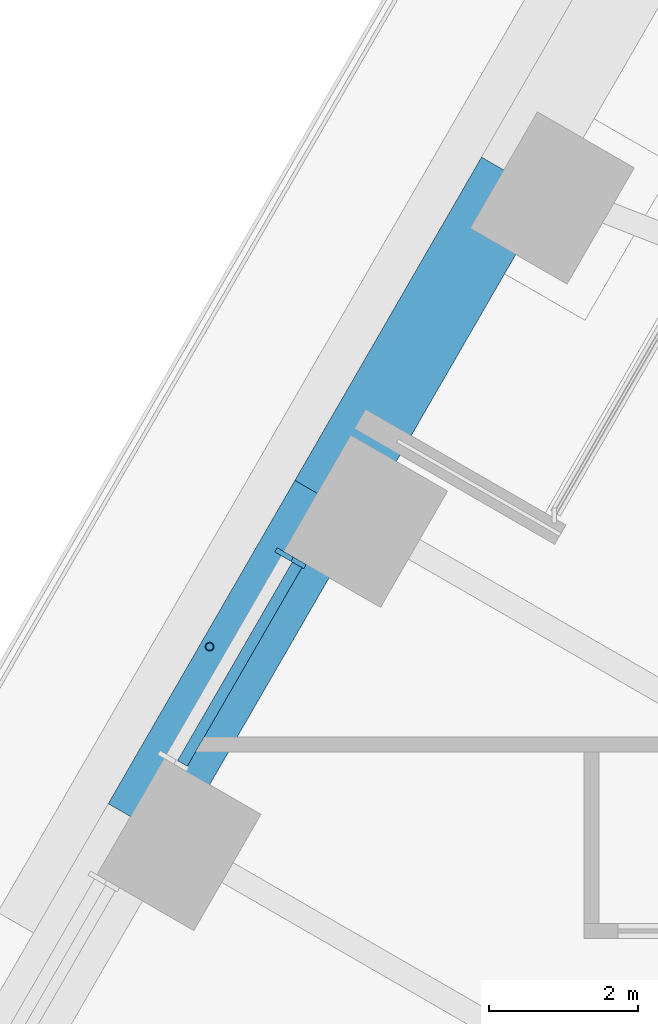
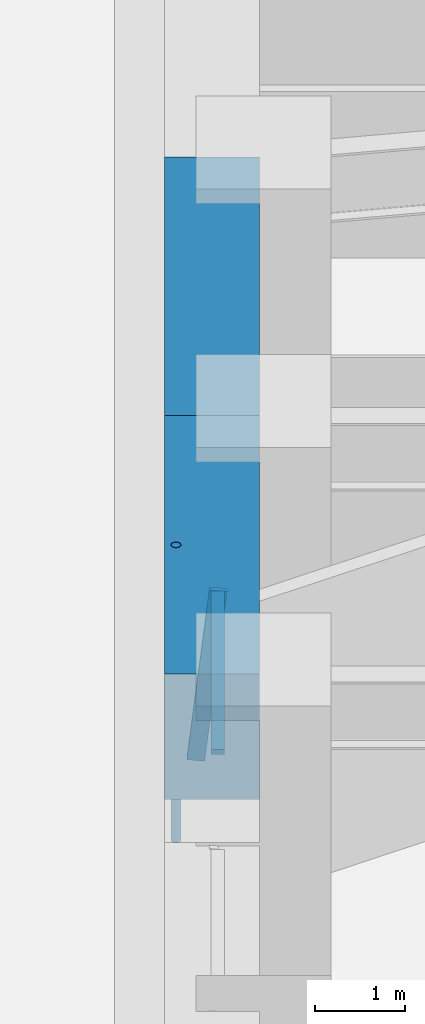
# One storey, part 7 of 24: 3 members, 2 beams, 1 element without a shape of its own.
"""IFC4 building model written with IfcOpenShell, lengths in metres."""

from ifc_helpers import new_model, si_unit, direction, frame, origin, origin_2d, place, context, subcontext, project, spatial, rectangle, hollow_circle, extrude, material, material_profile, profile_set, type_object, element, aggregate, save


model = new_model("IFC4")

# Units and contexts
model_context = context("Model", 3, precision=1e-05, world=origin(), true_north=direction((0.0, 1.0)))
body_context = subcontext(model_context, "Body", "Model", "MODEL_VIEW")
ifc_project = project(units=[si_unit("LENGTHUNIT", "METRE"), si_unit("AREAUNIT", "SQUARE_METRE"), si_unit("VOLUMEUNIT", "CUBIC_METRE"), si_unit("PLANEANGLEUNIT", "RADIAN"), si_unit("MASSUNIT", "GRAM", prefix="KILO")], contexts=[model_context])

# Site, building, storey
site_placement = place(None, origin())
site = spatial("IfcSite", under=ifc_project, at=site_placement, CompositionType="ELEMENT")
building_placement = place(site_placement, origin())
building = spatial("IfcBuilding", under=site, at=building_placement, Name="Tarfa Lantern Tower", CompositionType="ELEMENT")
storey_placement = place(building_placement, frame((0.0, 0.0, 132.10009765625)))
storey = spatial("IfcBuildingStorey", under=building, at=storey_placement, Name="L29", CompositionType="ELEMENT", Elevation=132.10009765625)

# Curtain wall, members
ifc_material_1 = material(Name="Aluminium framed curtain wall", Category="aluminium")
curtain_wall_type = type_object("IfcCurtainWallType", Name="CW2 CANTED GLAZING MID ZONE 2300", PredefinedType="USERDEFINED", material=ifc_material_1)
curtain_wall_placement = place(storey_placement, origin())
curtain_wall = element("IfcCurtainWall", 1, at=curtain_wall_placement, inside=storey, type_object=curtain_wall_type, Name="CW2 NWB L29", ObjectType="CURTAIN WALL", PredefinedType="USERDEFINED")
ifc_material_2 = material(Name="Aluminium mullion", Category="aluminium")
ifc_material_profile_1 = material_profile(ifc_material_2, rectangle(XDim=0.06494140625, YDim=0.199951171875, at=origin_2d()), Name="AL MULLION 65x200")
ifc_profile_set_1 = profile_set([ifc_material_profile_1], Name="Aluminium mullion")
member_type_1 = type_object("IfcMemberType", Name="CWM1 MULLION 65x200", PredefinedType="MULLION", material=ifc_profile_set_1)
member_1_placement = place(storey_placement, frame((-30.161376953125, 10.55908203125, 0.0), z_axis=(0.093609724986, -0.054034023893, 0.994141611467), x_axis=(0.499919672301, 0.866071776036, 0.0)))
member_1 = element("IfcMember", 2, at=member_1_placement, type_object=member_type_1, Name="CW2 mullion 1", PredefinedType="MULLION", context=body_context, shape_type="SweptSolid", body=[
    extrude(rectangle(XDim=0.06494140625, YDim=0.199951171875, at=origin_2d()), origin(), (0.0, 0.0, 1.0), 2.3134765625),
])
ifc_material_3 = material(Name="Aluminium transom", Category="aluminium")
ifc_material_profile_2 = material_profile(ifc_material_3, rectangle(XDim=0.14990234375, YDim=0.06494140625, at=origin_2d()), Name="AL TRANSOM 150x65")
ifc_profile_set_2 = profile_set([ifc_material_profile_2], Name="Aluminium transom")
member_type_2 = type_object("IfcMemberType", Name="CWT1 TRANSOM 150x65", PredefinedType="USERDEFINED", material=ifc_profile_set_2)
member_2_placement = place(storey_placement, frame((-29.964111328125, 10.40771484375, 2.267333984375), z_axis=(-0.500008936691, -0.866020244122, 0.0), x_axis=(0.866020244122, -0.500008936691, 0.0)))
member_2 = element("IfcMember", 3, at=member_2_placement, type_object=member_type_2, Name="CW2 transom 1.2", ObjectType="TRANSOM", PredefinedType="USERDEFINED", context=body_context, shape_type="SweptSolid", body=[
    extrude(rectangle(XDim=0.14990234375, YDim=0.06494140625, at=origin_2d()), origin(), (0.0, 0.0, 1.0), 3.07373046875),
])
aggregate(curtain_wall, [member_1, member_2])

# Beams
ifc_material_4 = material(Name="Concrete C80/95", Category="concrete")
ifc_material_profile_3 = material_profile(ifc_material_4, rectangle(XDim=1.050048828125, YDim=1.699951171875, at=origin_2d()), Name="RC 1050x1700")
ifc_profile_set_3 = profile_set([ifc_material_profile_3], Name="Concrete C80/95")
beam_type = type_object("IfcBeamType", Name="RB2 RC 1050x1700", PredefinedType="BEAM", material=ifc_profile_set_3)
for number, where, z_axis, x_axis, name in (
    (4, (-27.037353515625, 15.610107421875, 3.14990234375), (-0.499964603504, -0.866045838996, 0.0), (0.866045838996, -0.499964603504, 0.0), "Edge beam NW3"),
    (5, (-29.5390625, 11.276611328125, 3.14990234375), (-0.500022324899, -0.866012514114, 0.0), (0.866012514114, -0.500022324899, 0.0), "Edge beam NW4"),
):
    element("IfcBeam", number, at=place(storey_placement, frame(where, z_axis=z_axis, x_axis=x_axis)), inside=storey, type_object=beam_type, Name=name, PredefinedType="BEAM", context=body_context, shape_type="SweptSolid", body=[
        extrude(rectangle(XDim=1.050048828125, YDim=1.699951171875, at=origin_2d()), origin(), (0.0, 0.0, 1.0), 5.003662109375),
    ])

# Member
ifc_material_5 = material(Name="Steel S355", Category="steel")
ifc_material_profile_4 = material_profile(ifc_material_5, hollow_circle(Radius=0.05712890625, WallThickness=0.00634765625, at=origin_2d()), Name="CHS114.3x6.3")
ifc_profile_set_4 = profile_set([ifc_material_profile_4], Name="Steel S355")
member_type_3 = type_object("IfcMemberType", Name="TR1 GREEN WALL TRELLIS CHS114.3x6.3", PredefinedType="USERDEFINED", material=ifc_profile_set_4)
member_3_placement = place(storey_placement, frame((-31.136474609375, 9.31005859375, 0.0), z_axis=(0.0, 0.0, 1.0), x_axis=(1.0, 0.0, 0.0)))
element("IfcMember", 6, at=member_3_placement, inside=storey, type_object=member_type_3, Name="Trellis post NW 2", ObjectType="TRELLIS", PredefinedType="USERDEFINED", context=body_context, shape_type="SweptSolid", body=[
    extrude(hollow_circle(Radius=0.05712890625, WallThickness=0.00634765625, at=origin_2d()), origin(), (0.0, 0.0, 1.0), 4.0),
])

save(model, "model.ifc")
